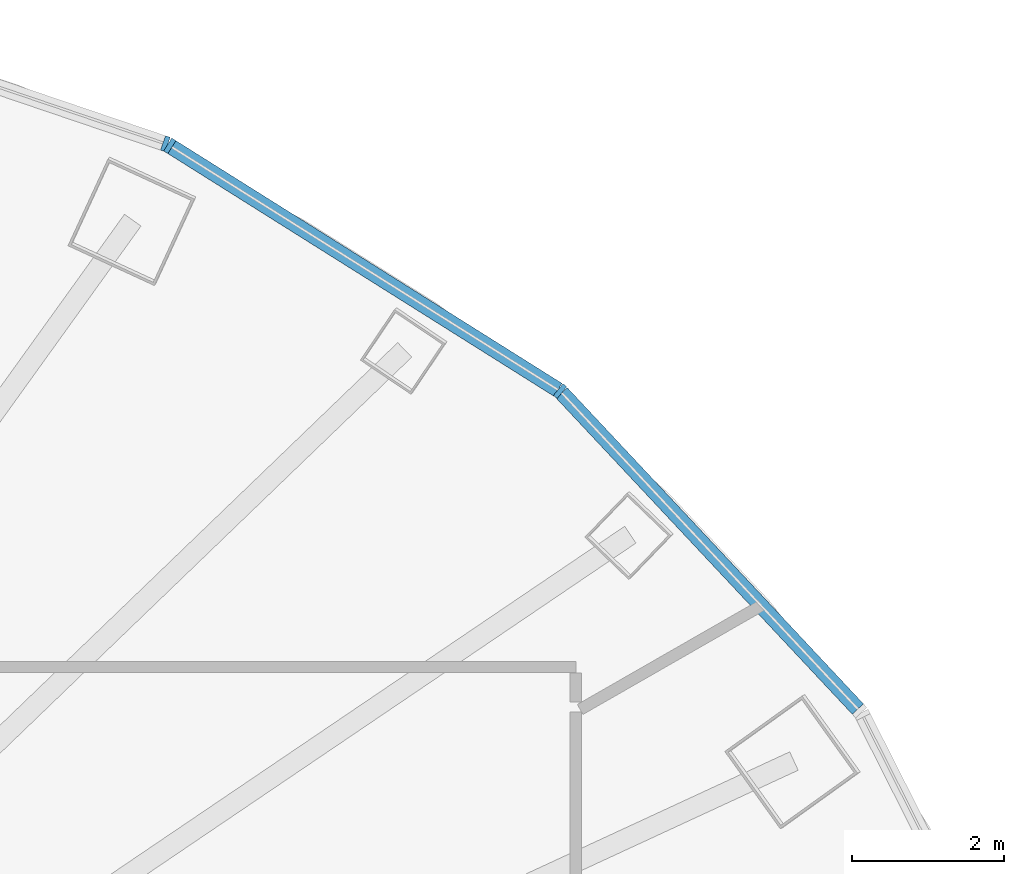
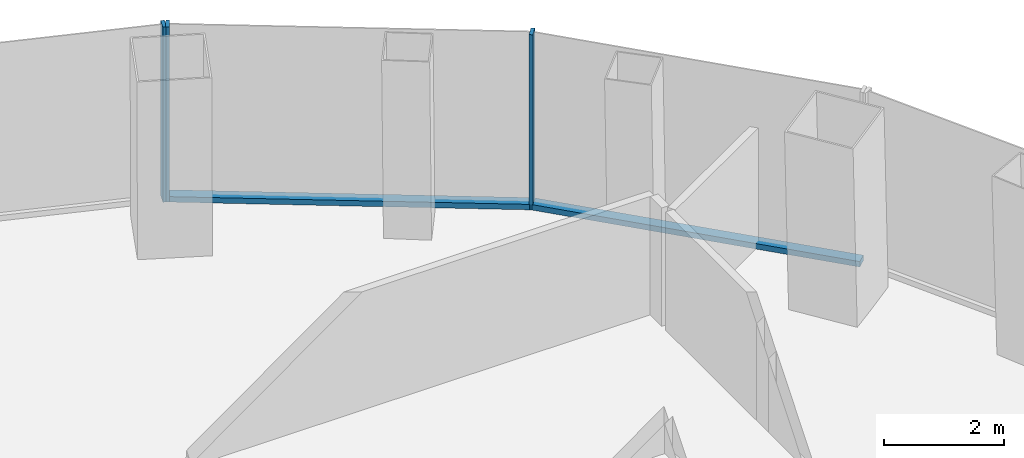
# One storey, part 6 of 12: 5 members, 2 elements without a shape of their own.
"""IFC4 building model written with IfcOpenShell, lengths in metres."""

import ifcopenshell
import ifcopenshell.guid

model = None  # the IFC model being written
_history = None  # IfcOwnerHistory: only IFC2X3 demands one
_inside = {}  # id of a spatial element -> (the spatial element, [elements in it])
_under = {}  # id of a project, library or spatial element -> (it, [spatial elements below it])
_declared = {}  # id of a project -> (the project, [libraries it declares])
_typed = {}  # id of a type object -> (the type object, [elements of that type])
_made_of = {}  # id of a material, layer set ... -> (it, [elements and type objects made of it])


def new_model(schema):
    """Start an empty IFC model of exactly this schema.

    Asked for "IFC4X3", IfcOpenShell would pick the latest addendum, in which some entities
    have other attributes; the version numbers below select the first issue.
    IFC2X3 requires an IfcOwnerHistory on every rooted entity: one is made here for all.
    """
    global model, _history
    if schema == "IFC4X3":
        model = ifcopenshell.file(schema_version=(4, 3, 0, 0))
    else:
        model = ifcopenshell.file(schema=schema)
    _inside.clear()
    _under.clear()
    _declared.clear()
    _typed.clear()
    _made_of.clear()
    _history = None
    if model.schema == "IFC2X3":
        org = make("IfcOrganization", Name="unknown")
        user = make(
            "IfcPersonAndOrganization",
            ThePerson=make("IfcPerson", FamilyName="unknown"),
            TheOrganization=org,
        )
        app = make(
            "IfcApplication",
            ApplicationDeveloper=org,
            Version="unknown",
            ApplicationFullName="unknown",
            ApplicationIdentifier="unknown",
        )
        _history = make(
            "IfcOwnerHistory",
            OwningUser=user,
            OwningApplication=app,
            ChangeAction="ADDED",
            CreationDate=0,
        )
    return model


def make(cls, **values):
    """One entity of the class cls with the attributes given. An attribute that is None is left unset."""
    return model.create_entity(
        cls, **{name: value for name, value in values.items() if value is not None}
    )


def rooted(cls, **values):
    """An entity with a GlobalId (a new one), such as an element, a storey or a relation."""
    return make(cls, GlobalId=ifcopenshell.guid.new(), OwnerHistory=_history, **values)


def si_unit(unit_type, name, prefix=None):
    """IfcSIUnit, for example si_unit("LENGTHUNIT", "METRE", prefix="MILLI")."""
    return make("IfcSIUnit", UnitType=unit_type, Prefix=prefix, Name=name)


def assignment(units):
    """IfcUnitAssignment: the units of a project."""
    return None if units is None else make("IfcUnitAssignment", Units=units)


def point(xyz):
    """IfcCartesianPoint."""
    return None if xyz is None else make("IfcCartesianPoint", Coordinates=xyz)


def direction(xyz):
    """IfcDirection."""
    return None if xyz is None else make("IfcDirection", DirectionRatios=xyz)


def frame(location, z_axis=None, x_axis=None):
    """IfcAxis2Placement3D, a coordinate frame: its origin and axes. An axis left out is left unset."""
    return make(
        "IfcAxis2Placement3D",
        Location=point(location),
        Axis=direction(z_axis),
        RefDirection=direction(x_axis),
    )


def frame_2d(location, x_axis=None):
    """IfcAxis2Placement2D, a coordinate frame in the plane: its origin and x axis."""
    return make(
        "IfcAxis2Placement2D", Location=point(location), RefDirection=direction(x_axis)
    )


def origin():
    """The frame at (0, 0, 0) with its axes left unset."""
    return frame((0.0, 0.0, 0.0))


def origin_2d():
    """The frame at (0, 0) in the plane with its x axis left unset."""
    return frame_2d((0.0, 0.0))


def place(relative_to, where):
    """IfcLocalPlacement: puts the frame where relative to a parent placement (None: the world)."""
    return make(
        "IfcLocalPlacement", PlacementRelTo=relative_to, RelativePlacement=where
    )


def context(
    kind, dimensions, precision=None, world=None, true_north=None, identifier=None
):
    """IfcGeometricRepresentationContext, for example the 3D "Model" context."""
    return make(
        "IfcGeometricRepresentationContext",
        ContextIdentifier=identifier,
        ContextType=kind,
        CoordinateSpaceDimension=dimensions,
        Precision=precision,
        WorldCoordinateSystem=world,
        TrueNorth=true_north,
    )


def subcontext(parent, identifier, kind, view, scale=None):
    """IfcGeometricRepresentationSubContext, for example "Body" below "Model"."""
    return make(
        "IfcGeometricRepresentationSubContext",
        ContextIdentifier=identifier,
        ContextType=kind,
        ParentContext=parent,
        TargetScale=scale,
        TargetView=view,
    )


def project(units=None, contexts=None):
    """IfcProject with its units and contexts."""
    return rooted(
        "IfcProject",
        Name="project",
        RepresentationContexts=contexts,
        UnitsInContext=assignment(units),
    )


def spatial(cls, under=None, at=None, **own):
    """A site, building, storey or space (cls), placed at a placement, below another one or the project."""
    s = rooted(cls, ObjectPlacement=at, **own)
    if under is not None:
        _under.setdefault(under.id(), (under, []))[1].append(s)
    return s


def profile(cls, at=None, kind="AREA", **sizes):
    """A parametric profile (cls). Its sizes go by their IFC names, for example OverallWidth=200.0."""
    return make(cls, ProfileType=kind, Position=at, **sizes)


def rectangle(**sizes):
    """IfcRectangleProfileDef."""
    return profile("IfcRectangleProfileDef", **sizes)


def extrude(swept, where, along, depth):
    """IfcExtrudedAreaSolid: the profile swept, set in the frame where, extruded along a direction by depth."""
    return make(
        "IfcExtrudedAreaSolid",
        SweptArea=swept,
        Position=where,
        ExtrudedDirection=direction(along),
        Depth=depth,
    )


def shape(context_of_items, identifier, shape_type, items):
    """IfcShapeRepresentation: the items that make up one representation, for example the "Body"."""
    return make(
        "IfcShapeRepresentation",
        ContextOfItems=context_of_items,
        RepresentationIdentifier=identifier,
        RepresentationType=shape_type,
        Items=items,
    )


def material(Name=None, Category=None):
    """IfcMaterial."""
    return make("IfcMaterial", Name=Name, Category=Category)


def layer(
    of_material, thickness, ventilated=None, Name=None, Category=None, Priority=None
):
    """IfcMaterialLayer: one layer of a wall or slab, of a material (None: an air gap)."""
    return make(
        "IfcMaterialLayer",
        Material=of_material,
        LayerThickness=thickness,
        IsVentilated=ventilated,
        Name=Name,
        Category=Category,
        Priority=Priority,
    )


def layer_set(layers, Name=None):
    """IfcMaterialLayerSet."""
    return make("IfcMaterialLayerSet", MaterialLayers=layers, LayerSetName=Name)


def material_profile(
    of_material, cross_section, Name=None, Category=None, Priority=None
):
    """IfcMaterialProfile: a cross section and its material."""
    return make(
        "IfcMaterialProfile",
        Name=Name,
        Material=of_material,
        Profile=cross_section,
        Priority=Priority,
        Category=Category,
    )


def profile_set(profiles, Name=None, composite=None):
    """IfcMaterialProfileSet."""
    return make(
        "IfcMaterialProfileSet",
        Name=Name,
        MaterialProfiles=profiles,
        CompositeProfile=composite,
    )


def made_of(thing, what):
    """Note that an element or type object is made of a material, layer set ...; save() writes the relation."""
    if what is not None:
        _made_of.setdefault(what.id(), (what, []))[1].append(thing)
    return thing


def type_object(cls, material=None, **own):
    """A type object (cls), such as IfcWallType, which elements share."""
    return made_of(rooted(cls, **own), material)


def element(
    cls,
    number,
    at=None,
    inside=None,
    cuts=None,
    type_object=None,
    material=None,
    context=None,
    identifier="Body",
    shape_type=None,
    held_by="IfcProductDefinitionShape",
    body=None,
    shapes=None,
    **own,
):
    """One element of the class cls, such as IfcWall. Its Tag is "e" and its number.

    at: its placement. inside: the storey or other place that contains it. cuts: it is an
    opening in that element (IfcRelVoidsElement). A single representation is given by context,
    identifier, shape_type and body (its items); several are given by shapes. held_by: the class
    of the entity that holds the representations. save() writes the other relations.
    """
    e = rooted(cls, Tag="e%d" % number, ObjectPlacement=at, **own)
    if body is not None:
        shapes = [shape(context, identifier, shape_type, body)]
    if shapes is not None:
        e.Representation = make(held_by, Representations=shapes)
    if inside is not None:
        _inside.setdefault(inside.id(), (inside, []))[1].append(e)
    if cuts is not None:
        rooted(
            "IfcRelVoidsElement", RelatingBuildingElement=cuts, RelatedOpeningElement=e
        )
    if type_object is not None:
        _typed.setdefault(type_object.id(), (type_object, []))[1].append(e)
    return made_of(e, material)


def aggregate(whole, parts):
    """IfcRelAggregates: a whole, such as a stair, and the parts it consists of."""
    return rooted("IfcRelAggregates", RelatingObject=whole, RelatedObjects=parts)


def save(model, path):
    """Write the relations noted so far, then the file.

    IfcRelAggregates (storeys below a building ...), IfcRelContainedInSpatialStructure (elements
    in a storey), IfcRelDefinesByType, IfcRelAssociatesMaterial and IfcRelDeclares: one each for
    every whole, place, type object, material and project.
    """
    for whole, parts in _under.values():
        aggregate(whole, parts)
    for where, things in _inside.values():
        rooted(
            "IfcRelContainedInSpatialStructure",
            RelatedElements=things,
            RelatingStructure=where,
        )
    for kind, things in _typed.values():
        rooted("IfcRelDefinesByType", RelatedObjects=things, RelatingType=kind)
    for what, things in _made_of.values():
        rooted("IfcRelAssociatesMaterial", RelatedObjects=things, RelatingMaterial=what)
    for by, libraries in _declared.values():
        rooted("IfcRelDeclares", RelatingContext=by, RelatedDefinitions=libraries)
    model.write(path)


model = new_model("IFC4")

# Units and contexts
model_context = context("Model", 3, precision=1e-05, world=origin(), true_north=direction((0.0, 1.0)))
body_context = subcontext(model_context, "Body", "Model", "MODEL_VIEW")
ifc_project = project(units=[si_unit("LENGTHUNIT", "METRE"), si_unit("AREAUNIT", "SQUARE_METRE"), si_unit("VOLUMEUNIT", "CUBIC_METRE"), si_unit("PLANEANGLEUNIT", "RADIAN"), si_unit("MASSUNIT", "GRAM", prefix="KILO")], contexts=[model_context])

# Site, building, storey
site_placement = place(None, origin())
site = spatial("IfcSite", under=ifc_project, at=site_placement, CompositionType="ELEMENT")
building_placement = place(site_placement, origin())
building = spatial("IfcBuilding", under=site, at=building_placement, Name="Siaravel Broadcast Tower", CompositionType="ELEMENT")
storey_placement = place(building_placement, frame((0.0, 0.0, 134.10009765625)))
storey = spatial("IfcBuildingStorey", under=building, at=storey_placement, Name="L32", CompositionType="ELEMENT", Elevation=134.10009765625)

# Curtain wall, members
ifc_material = material(Name="Aluminium 6063-T6", Category="aluminium")
ifc_layer = layer(ifc_material, 0.199951171875)
ifc_layer_set = layer_set([ifc_layer], Name="Aluminium 6063-T6")
curtain_wall_type = type_object("IfcCurtainWallType", Name="Unitised curtain wall, zone 2", PredefinedType="NOTDEFINED", material=ifc_layer_set)
curtain_wall_1_placement = place(storey_placement, origin())
curtain_wall_1 = element("IfcCurtainWall", 1, at=curtain_wall_1_placement, inside=storey, type_object=curtain_wall_type, Name="L32 Unitised curtain wall, zone 2 02", PredefinedType="NOTDEFINED")
ifc_material_profile_1 = material_profile(ifc_material, rectangle(XDim=0.199951171875, YDim=0.06494140625, at=origin_2d()))
ifc_profile_set_1 = profile_set([ifc_material_profile_1], Name="Aluminium 6063-T6")
member_type_1 = type_object("IfcMemberType", Name="CW-Z2 mullion", PredefinedType="MULLION", material=ifc_profile_set_1)
member_1_placement = place(storey_placement, frame((17.593994140625, 14.42431640625, 0.0), z_axis=(0.0, 0.0, 1.0), x_axis=(-0.63622045, -0.771507317, 0.0)))
member_1 = element("IfcMember", 2, at=member_1_placement, type_object=member_type_1, Name="CW-Z2 mullion 2", PredefinedType="MULLION", context=body_context, shape_type="SweptSolid", body=[
    extrude(rectangle(XDim=0.199951171875, YDim=0.06494140625, at=origin_2d()), origin(), (0.0, 0.0, 1.0), 3.5498046875),
])
member_2_placement = place(storey_placement, frame((12.46728515625, 17.646484375, 0.0), z_axis=(0.0, 0.0, 1.0), x_axis=(-0.532151141, -0.846649374, 0.0)))
member_2 = element("IfcMember", 3, at=member_2_placement, type_object=member_type_1, Name="CW-Z2 mullion 3", PredefinedType="MULLION", context=body_context, shape_type="SweptSolid", body=[
    extrude(rectangle(XDim=0.199951171875, YDim=0.06494140625, at=origin_2d()), origin(), (0.0, 0.0, 1.0), 3.5498046875),
])

# Curtain wall, member
curtain_wall_2_placement = place(storey_placement, origin())
curtain_wall_2 = element("IfcCurtainWall", 4, at=curtain_wall_2_placement, inside=storey, type_object=curtain_wall_type, Name="L32 Unitised curtain wall, zone 2 03", PredefinedType="NOTDEFINED")
member_3_placement = place(storey_placement, frame((12.408935546875, 17.67431640625, 0.0), z_axis=(0.0, 0.0, 1.0), x_axis=(-0.321302097, -0.946976749, 0.0)))
member_3 = element("IfcMember", 5, at=member_3_placement, type_object=member_type_1, Name="CW-Z2 mullion 1", PredefinedType="MULLION", context=body_context, shape_type="SweptSolid", body=[
    extrude(rectangle(XDim=0.199951171875, YDim=0.06494140625, at=origin_2d()), origin(), (0.0, 0.0, 1.0), 3.5498046875),
])
aggregate(curtain_wall_2, [member_3])

# Member
ifc_material_profile_2 = material_profile(ifc_material, rectangle(XDim=0.199951171875, YDim=0.110107421875, at=origin_2d()))
ifc_profile_set_2 = profile_set([ifc_material_profile_2], Name="Aluminium 6063-T6")
member_type_2 = type_object("IfcMemberType", Name="CW-Z2 transom", PredefinedType="USERDEFINED", material=ifc_profile_set_2)
member_4_placement = place(storey_placement, frame((21.505859375, 10.248291015625, 0.054931640625), z_axis=(-0.683644181, 0.72981548, 0.0), x_axis=(-0.72981548, -0.683644181, 0.0)))
member_4 = element("IfcMember", 6, at=member_4_placement, type_object=member_type_2, Name="CW-Z2 transom 1", ObjectType="TRANSOM", PredefinedType="USERDEFINED", context=body_context, shape_type="SweptSolid", body=[
    extrude(rectangle(XDim=0.199951171875, YDim=0.110107421875, at=origin_2d()), origin(), (0.0, 0.0, 1.0), 5.689697265625),
])

member_5_placement = place(storey_placement, frame((17.56640625, 14.441650390625, 0.054931640625), z_axis=(-0.84664232, 0.532162364, 0.0), x_axis=(-0.532162364, -0.84664232, 0.0)))
member_5 = element("IfcMember", 7, at=member_5_placement, type_object=member_type_2, Name="CW-Z2 transom 2", ObjectType="TRANSOM", PredefinedType="USERDEFINED", context=body_context, shape_type="SweptSolid", body=[
    extrude(rectangle(XDim=0.199951171875, YDim=0.110107421875, at=origin_2d()), origin(), (0.0, 0.0, 1.0), 5.990234375),
])

aggregate(curtain_wall_1, [member_1, member_2, member_4, member_5])

save(model, "model.ifc")
